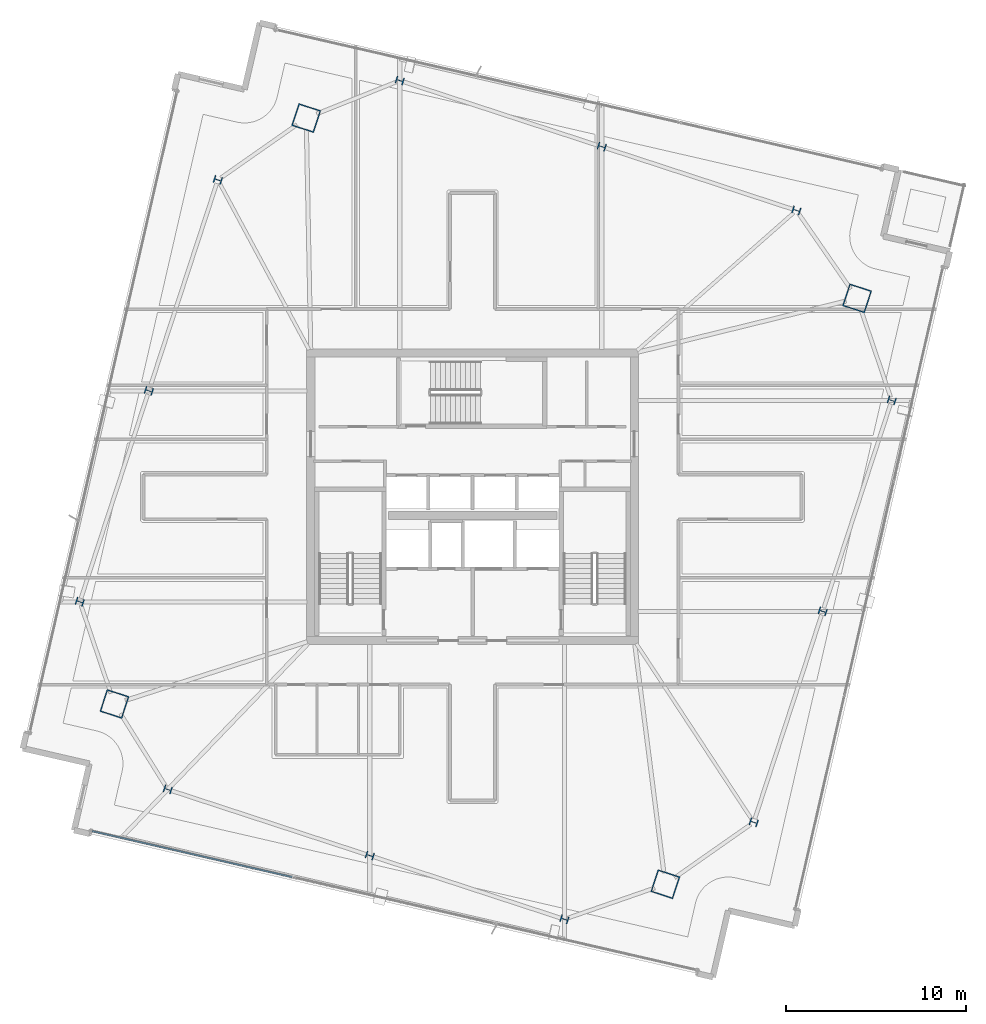
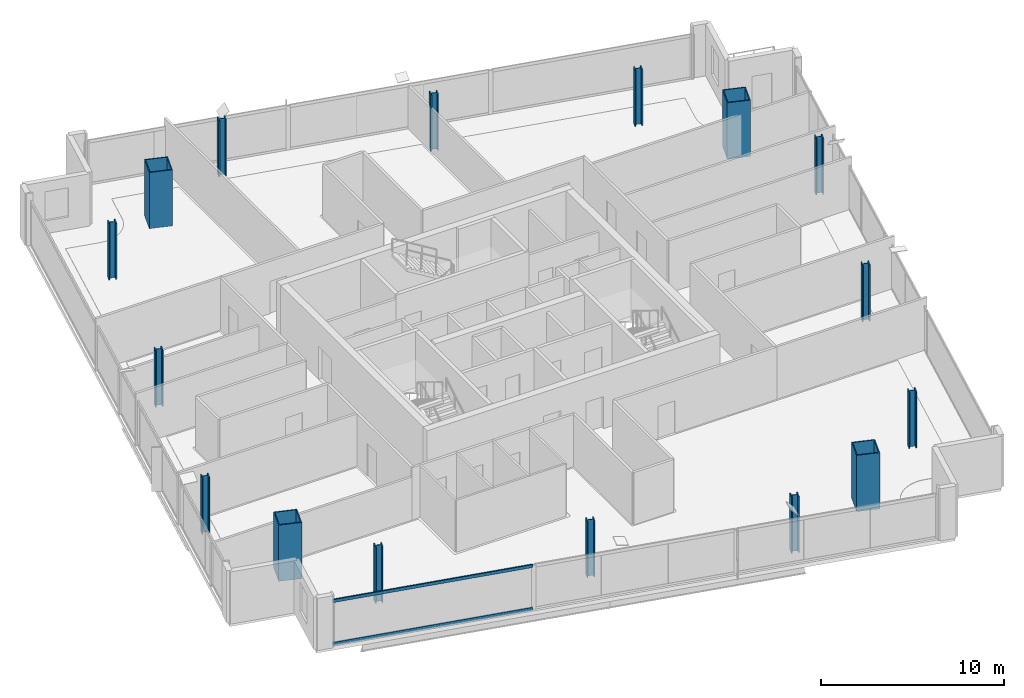
# One storey, part 1 of 28: 16 columns, 2 members, 1 element without a shape of its own.
"""IFC4 building model written with IfcOpenShell, lengths in metres."""

from ifc_helpers import new_model, si_unit, direction, frame, origin, origin_2d, place, context, subcontext, project, spatial, hollow_rectangle, i_section, extrude, material, material_profile, profile_set, type_object, element, aggregate, save


model = new_model("IFC4")

# Units and contexts
model_context = context("Model", 3, precision=1e-05, world=origin(), true_north=direction((0.0, 1.0)))
body_context = subcontext(model_context, "Body", "Model", "MODEL_VIEW")
ifc_project = project(units=[si_unit("LENGTHUNIT", "METRE"), si_unit("AREAUNIT", "SQUARE_METRE"), si_unit("VOLUMEUNIT", "CUBIC_METRE"), si_unit("PLANEANGLEUNIT", "RADIAN"), si_unit("MASSUNIT", "GRAM", prefix="KILO")], contexts=[model_context])

# Site, building, storey
site_placement = place(None, origin())
site = spatial("IfcSite", under=ifc_project, at=site_placement, CompositionType="ELEMENT")
building_placement = place(site_placement, origin())
building = spatial("IfcBuilding", under=site, at=building_placement, Name="Haldenkirk Collegiate Tower", CompositionType="ELEMENT")
storey_placement = place(building_placement, frame((0.0, 0.0, 286.199951171875)))
storey = spatial("IfcBuildingStorey", under=building, at=storey_placement, Name="L72", CompositionType="ELEMENT", Elevation=286.199951171875)

# Columns
ifc_material_1 = material(Name="Steel ASTM A913 Grade 65", Category="steel")
ifc_material_profile_1 = material_profile(ifc_material_1, i_section(OverallWidth=0.416015625, OverallDepth=0.445068359375, WebThickness=0.0390625, FlangeThickness=0.062744140625, at=origin_2d()), Name="W14X342")
ifc_profile_set_1 = profile_set([ifc_material_profile_1], Name="Steel ASTM A913 Grade 65")
column_type_1 = type_object("IfcColumnType", Name="COL-INT-W14X342", PredefinedType="COLUMN", material=ifc_profile_set_1)
for number, where, z_axis, x_axis, name in (
    (1, (51.64306640625, 7.888671875, 0.0), (0.0, 0.0, 1.0), (0.311008203279, 0.950407227189, 0.0), "L72 perimeter gravity column PC-S1"),
    (2, (55.4833984375, 19.624267578125, 0.0), (0.0, 0.0, 1.0), (0.311008203279, 0.950407227189, 0.0), "L72 perimeter gravity column PC-S2"),
    (3, (59.32373046875, 31.360107421875, 0.0), (0.0, 0.0, 1.0), (0.311008203279, 0.950407227189, 0.0), "L72 perimeter gravity column PC-S3"),
    (4, (54.01806640625, 41.9365234375, 0.0), (0.0, 0.0, 1.0), (0.311008203279, 0.950407227189, 0.0), "L72 perimeter gravity column PC-E1"),
    (5, (43.18994140625, 45.47998046875, 0.0), (0.0, 0.0, 1.0), (0.311008203279, 0.950407227189, 0.0), "L72 perimeter gravity column PC-E2"),
    (6, (31.949462890625, 49.158203125, 0.0), (0.0, 0.0, 1.0), (0.311008203279, 0.950407227189, 0.0), "L72 perimeter gravity column PC-E3"),
    (7, (21.830078125, 43.629150390625, 0.0), (0.0, 0.0, 1.0), (0.311008203279, 0.950407227189, 0.0), "L72 perimeter gravity column PC-N1"),
    (8, (17.98974609375, 31.8935546875, 0.0), (0.0, 0.0, 1.0), (0.311008203279, 0.950407227189, 0.0), "L72 perimeter gravity column PC-N2"),
    (9, (14.1494140625, 20.157958984375, 0.0), (0.0, 0.0, 1.0), (0.311008203279, 0.950407227189, 0.0), "L72 perimeter gravity column PC-N3"),
    (10, (19.042724609375, 9.71630859375, 0.0), (0.0, 0.0, 1.0), (0.311008203279, 0.950407227189, 0.0), "L72 perimeter gravity column PC-W1"),
    (11, (30.283203125, 6.0380859375, 0.0), (0.0, 0.0, 1.0), (0.311008203279, 0.950407227189, 0.0), "L72 perimeter gravity column PC-W2"),
    (12, (41.111083984375, 2.49462890625, 0.0), (0.0, 0.0, 1.0), (0.311008203279, 0.950407227189, 0.0), "L72 perimeter gravity column PC-W3"),
):
    element("IfcColumn", number, at=place(storey_placement, frame(where, z_axis=z_axis, x_axis=x_axis)), inside=storey, type_object=column_type_1, Name=name, PredefinedType="COLUMN", context=body_context, shape_type="SweptSolid", body=[
        extrude(i_section(OverallWidth=0.416015625, OverallDepth=0.445068359375, WebThickness=0.0390625, FlangeThickness=0.062744140625, at=origin_2d()), origin(), (0.0, 0.0, 1.0), 3.75),
    ])
ifc_material_2 = material(Name="Steel ASTM A572 Grade 50", Category="steel")
ifc_material_profile_2 = material_profile(ifc_material_2, hollow_rectangle(XDim=1.300048828125, YDim=1.300048828125, WallThickness=0.06005859375, at=origin_2d()), Name="BOX1300X1300X60")
ifc_profile_set_2 = profile_set([ifc_material_profile_2], Name="Steel ASTM A572 Grade 50")
column_type_2 = type_object("IfcColumnType", Name="COL-MEGA-BOX1300X1300X60", PredefinedType="COLUMN", material=ifc_profile_set_2)
for number, where, z_axis, x_axis, name in (
    (13, (46.72802734375, 4.444580078125, 0.0), (0.0, 0.0, 1.0), (0.311008203279, 0.950407227189, 0.0), "L72 corner mega-column MC1"),
    (14, (57.395751953125, 37.04345703125, 0.0), (0.0, 0.0, 1.0), (0.311008203279, 0.950407227189, 0.0), "L72 corner mega-column MC2"),
    (15, (26.7451171875, 47.073486328125, 0.0), (0.0, 0.0, 1.0), (0.311008203279, 0.950407227189, 0.0), "L72 corner mega-column MC3"),
    (16, (16.077392578125, 14.474609375, 0.0), (0.0, 0.0, 1.0), (0.311008203279, 0.950407227189, 0.0), "L72 corner mega-column MC4"),
):
    element("IfcColumn", number, at=place(storey_placement, frame(where, z_axis=z_axis, x_axis=x_axis)), inside=storey, type_object=column_type_2, Name=name, PredefinedType="COLUMN", context=body_context, shape_type="SweptSolid", body=[
        extrude(hollow_rectangle(XDim=1.300048828125, YDim=1.300048828125, WallThickness=0.06005859375, at=origin_2d()), origin(), (0.0, 0.0, 1.0), 3.75),
    ])

# Curtain wall, members
ifc_material_3 = material(Name="Anodised architectural bronze aluminium", Category="aluminium")
curtain_wall_type = type_object("IfcCurtainWallType", Name="CW-SYS1B-CONVEX-HI", PredefinedType="USERDEFINED", material=ifc_material_3)
curtain_wall_placement = place(storey_placement, origin())
curtain_wall = element("IfcCurtainWall", 17, at=curtain_wall_placement, inside=storey, type_object=curtain_wall_type, Name="L72 Upper tower high-wind convex bronze unitised curtain wall", ObjectType="UNITISED CURTAIN WALL", PredefinedType="USERDEFINED")
ifc_material_profile_3 = material_profile(ifc_material_3, hollow_rectangle(XDim=0.0849609375, YDim=0.199951171875, WallThickness=0.0048828125, at=origin_2d()), Name="CW-TRN-1B")
ifc_profile_set_3 = profile_set([ifc_material_profile_3], Name="Anodised architectural bronze aluminium")
member_type = type_object("IfcMemberType", Name="CW-TRN-1B", PredefinedType="USERDEFINED", material=ifc_profile_set_3)
member_1_placement = place(storey_placement, frame((25.96875, 4.83984375, 0.04248046875), z_axis=(-0.97456871493, 0.224088866032, 0.0), x_axis=(-0.224088866032, -0.97456871493, 0.0)))
member_1 = element("IfcMember", 18, at=member_1_placement, type_object=member_type, Name="CW-1B transom 3.1", ObjectType="TRANSOM", PredefinedType="USERDEFINED", context=body_context, shape_type="SweptSolid", body=[
    extrude(hollow_rectangle(XDim=0.0849609375, YDim=0.199951171875, WallThickness=0.0048828125, at=origin_2d()), origin(), (0.0, 0.0, 1.0), 11.430908203125),
])
member_2_placement = place(storey_placement, frame((25.96875, 4.83984375, 2.8955078125), z_axis=(-0.97456871493, 0.224088866032, 0.0), x_axis=(-0.224088866032, -0.97456871493, 0.0)))
member_2 = element("IfcMember", 19, at=member_2_placement, type_object=member_type, Name="CW-1B transom 3.2", ObjectType="TRANSOM", PredefinedType="USERDEFINED", context=body_context, shape_type="SweptSolid", body=[
    extrude(hollow_rectangle(XDim=0.0849609375, YDim=0.199951171875, WallThickness=0.0048828125, at=origin_2d()), origin(), (0.0, 0.0, 1.0), 11.430908203125),
])
aggregate(curtain_wall, [member_1, member_2])

save(model, "model.ifc")
